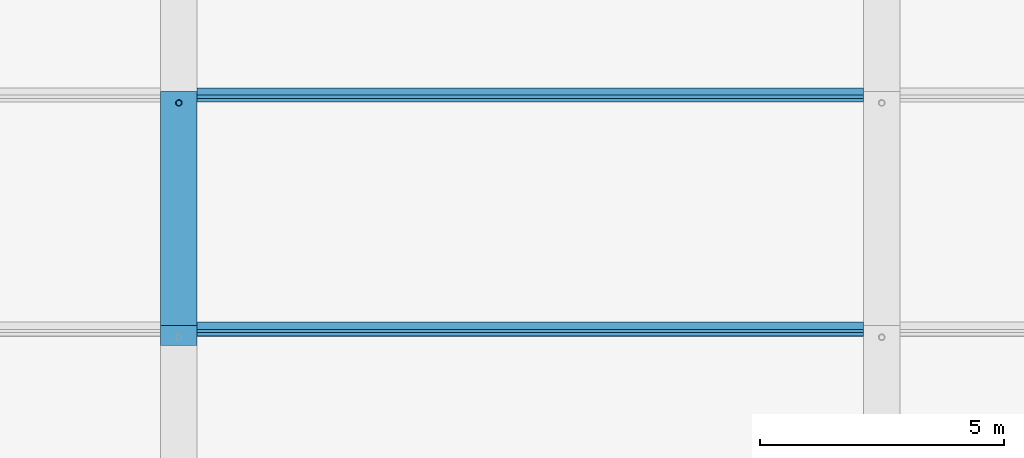
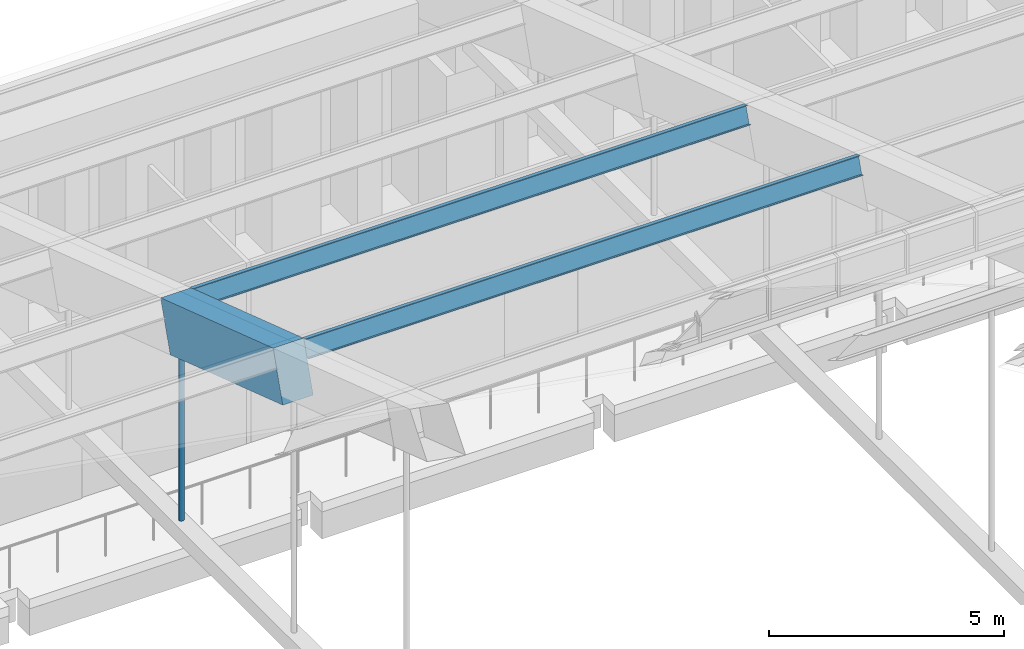
# One storey, part 63 of 149: 3 members, 1 beam.
"""IFC4 building model written with IfcOpenShell, lengths in metres."""

from ifc_helpers import new_model, si_unit, direction, frame, origin, origin_2d, place, context, subcontext, project, spatial, rectangle, hollow_circle, i_section, extrude, material, material_profile, profile_set, type_object, element, save


model = new_model("IFC4")

# Units and contexts
model_context = context("Model", 3, precision=1e-05, world=origin(), true_north=direction((0.0, 1.0)))
body_context = subcontext(model_context, "Body", "Model", "MODEL_VIEW")
ifc_project = project(units=[si_unit("LENGTHUNIT", "METRE"), si_unit("AREAUNIT", "SQUARE_METRE"), si_unit("VOLUMEUNIT", "CUBIC_METRE"), si_unit("PLANEANGLEUNIT", "RADIAN"), si_unit("MASSUNIT", "GRAM", prefix="KILO")], contexts=[model_context])

# Site, building, storey
site_placement = place(None, origin())
site = spatial("IfcSite", under=ifc_project, at=site_placement, CompositionType="ELEMENT")
building_placement = place(site_placement, origin())
building = spatial("IfcBuilding", under=site, at=building_placement, Name="Alderwick Market Hall", CompositionType="ELEMENT")
storey_placement = place(building_placement, frame((0.0, 0.0, 9.60009765625)))
storey = spatial("IfcBuildingStorey", under=building, at=storey_placement, Name="L01", CompositionType="ELEMENT", Elevation=9.60009765625)

# Beam
ifc_material_1 = material(Name="Concrete 5000 psi (f'c 35 MPa)", Category="concrete")
ifc_material_profile_1 = material_profile(ifc_material_1, rectangle(XDim=0.75, YDim=1.300048828125, at=origin_2d()), Name="RC 750x1300")
ifc_profile_set_1 = profile_set([ifc_material_profile_1], Name="Concrete 5000 psi (f'c 35 MPa)")
beam_type = type_object("IfcBeamType", Name="R Arch Rib Haunch 750x1300", PredefinedType="BEAM", material=ifc_profile_set_1)
beam_placement = place(storey_placement, frame((93.60009765625, 88.83154296875, 13.0947265625), z_axis=(0.0, 0.948692948114, -0.316198814353), x_axis=(-1.0, 0.0, 0.0)))
element("IfcBeam", 1, at=beam_placement, inside=storey, type_object=beam_type, Name="Arch rib 4 chord 9", PredefinedType="BEAM", context=body_context, shape_type="SweptSolid", body=[
    extrude(rectangle(XDim=0.75, YDim=1.300048828125, at=origin_2d()), origin(), (0.0, 0.0, 1.0), 5.0595703125),
])

# Members
ifc_material_2 = material(Name="Steel ASTM A500 Grade C", Category="steel")
ifc_material_profile_2 = material_profile(ifc_material_2, hollow_circle(Radius=0.0634765625, WallThickness=0.005859375, at=origin_2d()), Name="HSS5.000x0.250")
ifc_profile_set_2 = profile_set([ifc_material_profile_2], Name="Steel ASTM A500 Grade C")
member_type_1 = type_object("IfcMemberType", Name="R Hanger HSS5.000x0.250", PredefinedType="POST", material=ifc_profile_set_2)
member_placement = place(storey_placement, frame((93.60009765625, 93.60009765625, 6.35302734375), z_axis=(0.0, 0.0, 1.0), x_axis=(1.0, 0.0, 0.0)))
element("IfcMember", 2, at=member_placement, inside=storey, type_object=member_type_1, Name="Arch hanger 4.9", PredefinedType="POST", context=body_context, shape_type="SweptSolid", body=[
    extrude(hollow_circle(Radius=0.0634765625, WallThickness=0.005859375, at=origin_2d()), origin(), (0.0, 0.0, 1.0), 4.446044921875),
])
ifc_material_3 = material(Name="Steel ASTM A992 Grade 50", Category="steel")
ifc_material_profile_3 = material_profile(ifc_material_3, i_section(OverallWidth=0.153076171875, OverallDepth=0.455078125, WebThickness=0.008056640625, FlangeThickness=0.01318359375, at=origin_2d()), Name="W18x40")
ifc_profile_set_3 = profile_set([ifc_material_profile_3], Name="Steel ASTM A992 Grade 50")
member_type_2 = type_object("IfcMemberType", Name="R Purlin W18x40", PredefinedType="PURLIN", material=ifc_profile_set_3)
for number, where, z_axis, x_axis, name in (
    (3, (93.97509765625, 88.96337890625, 13.489990234375), (1.0, 0.0, 0.0), (0.0, 0.948683297073, -0.316227768949), "Roof purlin 9.4"),
    (4, (93.97509765625, 93.763427734375, 11.889892578125), (1.0, 0.0, 0.0), (0.0, 0.948683297073, -0.316227768949), "Roof purlin 10.4"),
):
    element("IfcMember", number, at=place(storey_placement, frame(where, z_axis=z_axis, x_axis=x_axis)), inside=storey, type_object=member_type_2, Name=name, PredefinedType="PURLIN", context=body_context, shape_type="SweptSolid", body=[
        extrude(i_section(OverallWidth=0.153076171875, OverallDepth=0.455078125, WebThickness=0.008056640625, FlangeThickness=0.01318359375, at=origin_2d()), origin(), (0.0, 0.0, 1.0), 13.64990234375),
    ])

save(model, "model.ifc")
